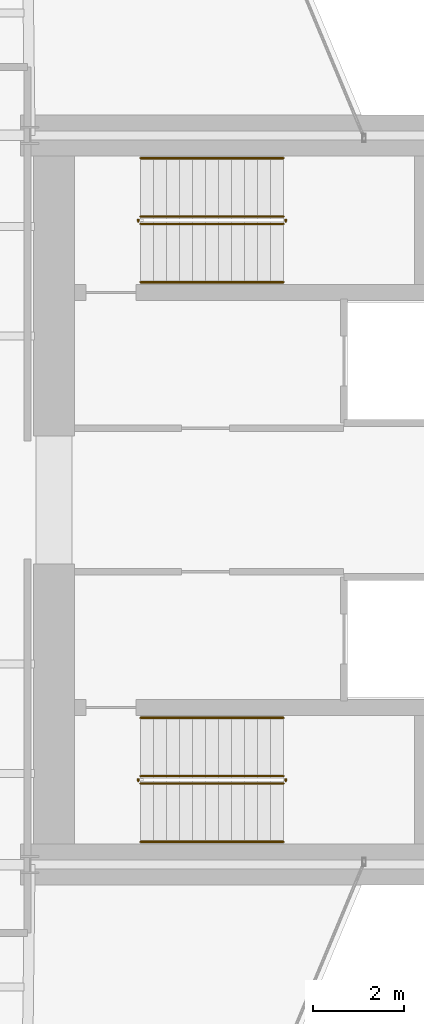
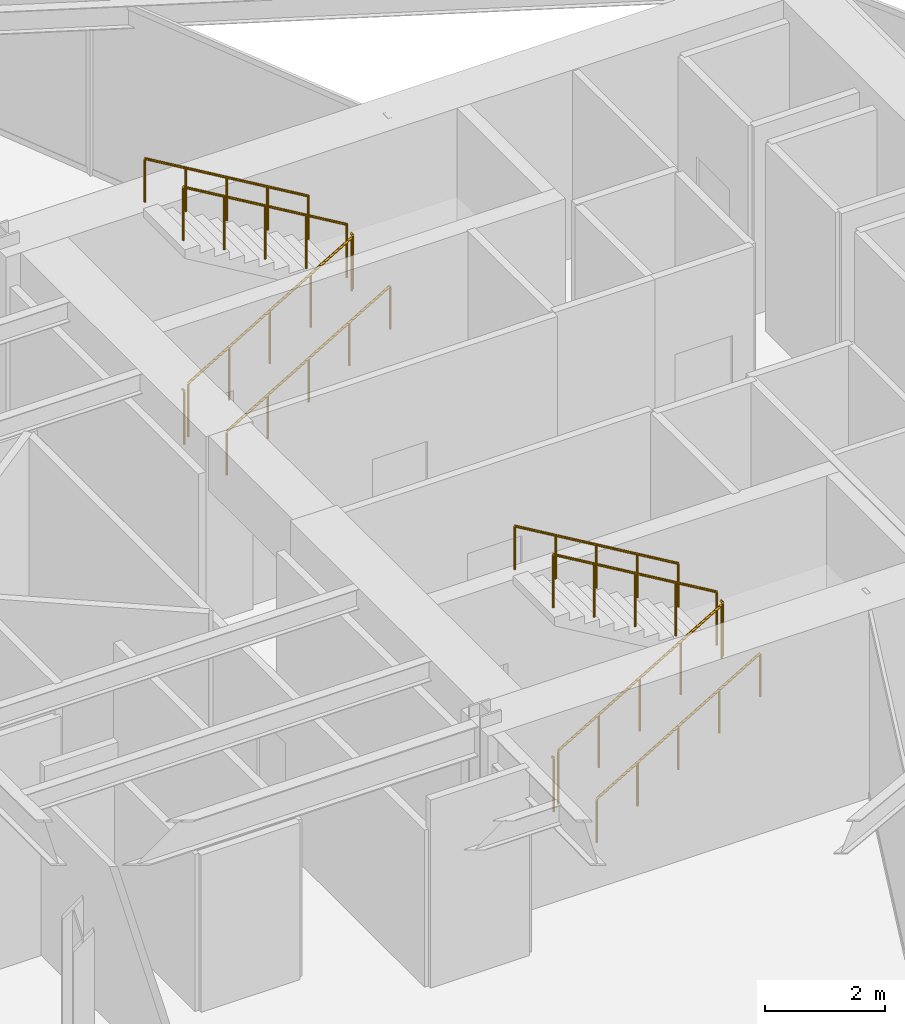
# One storey, part 24 of 24: 12 railings.
"""IFC4 building model written with IfcOpenShell, lengths in metres."""

from ifc_helpers import new_model, si_unit, direction, frame, origin, origin_2d, place, context, subcontext, project, spatial, circle, extrude, material, type_object, element, save


model = new_model("IFC4")

# Units and contexts
model_context = context("Model", 3, precision=1e-05, world=origin(), true_north=direction((0.0, 1.0)))
body_context = subcontext(model_context, "Body", "Model", "MODEL_VIEW")
ifc_project = project(units=[si_unit("LENGTHUNIT", "METRE"), si_unit("AREAUNIT", "SQUARE_METRE"), si_unit("VOLUMEUNIT", "CUBIC_METRE"), si_unit("PLANEANGLEUNIT", "RADIAN"), si_unit("MASSUNIT", "GRAM", prefix="KILO")], contexts=[model_context])

# Site, building, storey
site_placement = place(None, origin())
site = spatial("IfcSite", under=ifc_project, at=site_placement, CompositionType="ELEMENT")
building_placement = place(site_placement, origin())
building = spatial("IfcBuilding", under=site, at=building_placement, Name="Veymaron Broadcast Tower", CompositionType="ELEMENT")
storey_placement = place(building_placement, frame((0.0, 0.0, 78.300048828125)))
storey = spatial("IfcBuildingStorey", under=building, at=storey_placement, Name="L17", CompositionType="ELEMENT", Elevation=78.300048828125)

# Railings
ifc_material_1 = material(Name="Brushed stainless steel AISI 304", Category="steel")
railing_type_1 = type_object("IfcRailingType", Name="RAIL-STAIR-HR", PredefinedType="HANDRAIL", material=ifc_material_1)
railing_1_placement = place(storey_placement, frame((41.429931640625, 28.780029296875, 0.168701171875)))
element("IfcRailing", 1, at=railing_1_placement, inside=storey, type_object=railing_type_1, Name="L17 ST1 stair handrail 1", PredefinedType="HANDRAIL", context=body_context, shape_type="SweptSolid", body=[
    extrude(circle(Radius=0.02392578125, at=origin_2d()), frame((0.0, 0.0, 0.8759765625), z_axis=(0.860481960309, 0.0, 0.509480908359), x_axis=(0.0, 1.0, 0.0)), (0.0, 0.0, 1.0), 3.643310546875),
    extrude(circle(Radius=0.02099609375, at=origin_2d()), origin(), (0.0, 0.0, 1.0), 0.851806640625),
    extrude(circle(Radius=0.02099609375, at=origin_2d()), frame((0.78369140625, 0.0, 0.464111328125)), (0.0, 0.0, 1.0), 0.851806640625),
    extrude(circle(Radius=0.02099609375, at=origin_2d()), frame((1.5673828125, 0.0, 0.92822265625)), (0.0, 0.0, 1.0), 0.851806640625),
    extrude(circle(Radius=0.02099609375, at=origin_2d()), frame((2.351318359375, 0.0, 1.39208984375)), (0.0, 0.0, 1.0), 0.851806640625),
    extrude(circle(Radius=0.02099609375, at=origin_2d()), frame((3.135009765625, 0.0, 1.856201171875)), (0.0, 0.0, 1.0), 0.851806640625),
])
railing_2_placement = place(storey_placement, frame((44.56494140625, 31.5, 2.193603515625)))
element("IfcRailing", 2, at=railing_2_placement, inside=storey, type_object=railing_type_1, Name="L17 ST1 stair handrail 2", PredefinedType="HANDRAIL", context=body_context, shape_type="SweptSolid", body=[
    extrude(circle(Radius=0.02392578125, at=origin_2d()), frame((0.0, 0.0, 0.8759765625), z_axis=(-0.860452582533, 0.0, 0.509530522356), x_axis=(0.0, -1.0, 0.0)), (0.0, 0.0, 1.0), 3.6435546875),
    extrude(circle(Radius=0.02099609375, at=origin_2d()), origin(), (0.0, 0.0, 1.0), 0.851806640625),
    extrude(circle(Radius=0.02099609375, at=origin_2d()), frame((-0.78369140625, 0.0, 0.464111328125)), (0.0, 0.0, 1.0), 0.851806640625),
    extrude(circle(Radius=0.02099609375, at=origin_2d()), frame((-1.5673828125, 0.0, 0.92822265625)), (0.0, 0.0, 1.0), 0.851806640625),
    extrude(circle(Radius=0.02099609375, at=origin_2d()), frame((-2.351318359375, 0.0, 1.392333984375)), (0.0, 0.0, 1.0), 0.851806640625),
    extrude(circle(Radius=0.02099609375, at=origin_2d()), frame((-3.135009765625, 0.0, 1.8564453125)), (0.0, 0.0, 1.0), 0.851806640625),
])
railing_3_placement = place(storey_placement, frame((41.429931640625, 16.5, 0.168701171875)))
element("IfcRailing", 3, at=railing_3_placement, inside=storey, type_object=railing_type_1, Name="L17 ST2 stair handrail 1", PredefinedType="HANDRAIL", context=body_context, shape_type="SweptSolid", body=[
    extrude(circle(Radius=0.02392578125, at=origin_2d()), frame((0.0, 0.0, 0.8759765625), z_axis=(0.860481960309, 0.0, 0.509480908359), x_axis=(0.0, 1.0, 0.0)), (0.0, 0.0, 1.0), 3.643310546875),
    extrude(circle(Radius=0.02099609375, at=origin_2d()), origin(), (0.0, 0.0, 1.0), 0.851806640625),
    extrude(circle(Radius=0.02099609375, at=origin_2d()), frame((0.78369140625, 0.0, 0.464111328125)), (0.0, 0.0, 1.0), 0.851806640625),
    extrude(circle(Radius=0.02099609375, at=origin_2d()), frame((1.5673828125, 0.0, 0.92822265625)), (0.0, 0.0, 1.0), 0.851806640625),
    extrude(circle(Radius=0.02099609375, at=origin_2d()), frame((2.351318359375, 0.0, 1.39208984375)), (0.0, 0.0, 1.0), 0.851806640625),
    extrude(circle(Radius=0.02099609375, at=origin_2d()), frame((3.135009765625, 0.0, 1.856201171875)), (0.0, 0.0, 1.0), 0.851806640625),
])
railing_4_placement = place(storey_placement, frame((44.56494140625, 19.219970703125, 2.193603515625)))
element("IfcRailing", 4, at=railing_4_placement, inside=storey, type_object=railing_type_1, Name="L17 ST2 stair handrail 2", PredefinedType="HANDRAIL", context=body_context, shape_type="SweptSolid", body=[
    extrude(circle(Radius=0.02392578125, at=origin_2d()), frame((0.0, 0.0, 0.8759765625), z_axis=(-0.860452582533, 0.0, 0.509530522356), x_axis=(0.0, -1.0, 0.0)), (0.0, 0.0, 1.0), 3.6435546875),
    extrude(circle(Radius=0.02099609375, at=origin_2d()), origin(), (0.0, 0.0, 1.0), 0.851806640625),
    extrude(circle(Radius=0.02099609375, at=origin_2d()), frame((-0.78369140625, 0.0, 0.464111328125)), (0.0, 0.0, 1.0), 0.851806640625),
    extrude(circle(Radius=0.02099609375, at=origin_2d()), frame((-1.5673828125, 0.0, 0.92822265625)), (0.0, 0.0, 1.0), 0.851806640625),
    extrude(circle(Radius=0.02099609375, at=origin_2d()), frame((-2.351318359375, 0.0, 1.392333984375)), (0.0, 0.0, 1.0), 0.851806640625),
    extrude(circle(Radius=0.02099609375, at=origin_2d()), frame((-3.135009765625, 0.0, 1.8564453125)), (0.0, 0.0, 1.0), 0.851806640625),
])
ifc_material_2 = material(Name="Painted galvanized steel balustrade", Category="steel")
railing_type_2 = type_object("IfcRailingType", Name="RAIL-WELL-GRD", PredefinedType="GUARDRAIL", material=ifc_material_2)
railing_5_placement = place(storey_placement, frame((41.429931640625, 30.06005859375, 0.168701171875)))
element("IfcRailing", 5, at=railing_5_placement, inside=storey, type_object=railing_type_2, Name="L17 ST1 stair guard 1", PredefinedType="GUARDRAIL", context=body_context, shape_type="SweptSolid", body=[
    extrude(circle(Radius=0.02392578125, at=origin_2d()), frame((0.0, 0.0, 1.076171875), z_axis=(0.860481960309, 0.0, 0.509480908359), x_axis=(0.0, 1.0, 0.0)), (0.0, 0.0, 1.0), 3.643310546875),
    extrude(circle(Radius=0.02099609375, at=origin_2d()), origin(), (0.0, 0.0, 1.0), 1.052001953125),
    extrude(circle(Radius=0.02099609375, at=origin_2d()), frame((0.78369140625, 0.0, 0.464111328125)), (0.0, 0.0, 1.0), 1.052001953125),
    extrude(circle(Radius=0.02099609375, at=origin_2d()), frame((1.5673828125, 0.0, 0.92822265625)), (0.0, 0.0, 1.0), 1.052001953125),
    extrude(circle(Radius=0.02099609375, at=origin_2d()), frame((2.351318359375, 0.0, 1.39208984375)), (0.0, 0.0, 1.0), 1.052001953125),
    extrude(circle(Radius=0.02099609375, at=origin_2d()), frame((3.135009765625, 0.0, 1.856201171875)), (0.0, 0.0, 1.0), 1.052001953125),
])
railing_6_placement = place(storey_placement, frame((44.614990234375, 30.110107421875, 2.02490234375)))
element("IfcRailing", 6, at=railing_6_placement, inside=storey, type_object=railing_type_2, Name="L17 ST1 stair guard 2", PredefinedType="GUARDRAIL", context=body_context, shape_type="SweptSolid", body=[
    extrude(circle(Radius=0.02392578125, at=origin_2d()), frame((0.0, 0.0, 1.076171875), z_axis=(0.0, 1.0, 0.0), x_axis=(-1.0, 0.0, 0.0)), (0.0, 0.0, 1.0), 0.059814453125),
    extrude(circle(Radius=0.02099609375, at=origin_2d()), origin(), (0.0, 0.0, 1.0), 1.052001953125),
])
railing_7_placement = place(storey_placement, frame((44.56494140625, 30.219970703125, 2.193603515625)))
element("IfcRailing", 7, at=railing_7_placement, inside=storey, type_object=railing_type_2, Name="L17 ST1 stair guard 3", PredefinedType="GUARDRAIL", context=body_context, shape_type="SweptSolid", body=[
    extrude(circle(Radius=0.02392578125, at=origin_2d()), frame((0.0, 0.0, 1.076171875), z_axis=(-0.860452582533, 0.0, 0.509530522356), x_axis=(0.0, -1.0, 0.0)), (0.0, 0.0, 1.0), 3.6435546875),
    extrude(circle(Radius=0.02099609375, at=origin_2d()), origin(), (0.0, 0.0, 1.0), 1.052001953125),
    extrude(circle(Radius=0.02099609375, at=origin_2d()), frame((-0.78369140625, 0.0, 0.464111328125)), (0.0, 0.0, 1.0), 1.052001953125),
    extrude(circle(Radius=0.02099609375, at=origin_2d()), frame((-1.5673828125, 0.0, 0.92822265625)), (0.0, 0.0, 1.0), 1.052001953125),
    extrude(circle(Radius=0.02099609375, at=origin_2d()), frame((-2.351318359375, 0.0, 1.392333984375)), (0.0, 0.0, 1.0), 1.052001953125),
    extrude(circle(Radius=0.02099609375, at=origin_2d()), frame((-3.135009765625, 0.0, 1.8564453125)), (0.0, 0.0, 1.0), 1.052001953125),
])
railing_8_placement = place(storey_placement, frame((41.3798828125, 30.110107421875, 0.0)))
element("IfcRailing", 8, at=railing_8_placement, inside=storey, type_object=railing_type_2, Name="L17 ST1 stair guard 4", PredefinedType="GUARDRAIL", context=body_context, shape_type="SweptSolid", body=[
    extrude(circle(Radius=0.02392578125, at=origin_2d()), frame((0.0, 0.0, 1.076171875), z_axis=(0.0, 1.0, 0.0), x_axis=(-1.0, 0.0, 0.0)), (0.0, 0.0, 1.0), 0.059814453125),
    extrude(circle(Radius=0.02099609375, at=origin_2d()), origin(), (0.0, 0.0, 1.0), 1.052001953125),
])
railing_9_placement = place(storey_placement, frame((41.429931640625, 17.780029296875, 0.168701171875)))
element("IfcRailing", 9, at=railing_9_placement, inside=storey, type_object=railing_type_2, Name="L17 ST2 stair guard 1", PredefinedType="GUARDRAIL", context=body_context, shape_type="SweptSolid", body=[
    extrude(circle(Radius=0.02392578125, at=origin_2d()), frame((0.0, 0.0, 1.076171875), z_axis=(0.860481960309, 0.0, 0.509480908359), x_axis=(0.0, 1.0, 0.0)), (0.0, 0.0, 1.0), 3.643310546875),
    extrude(circle(Radius=0.02099609375, at=origin_2d()), origin(), (0.0, 0.0, 1.0), 1.052001953125),
    extrude(circle(Radius=0.02099609375, at=origin_2d()), frame((0.78369140625, 0.0, 0.464111328125)), (0.0, 0.0, 1.0), 1.052001953125),
    extrude(circle(Radius=0.02099609375, at=origin_2d()), frame((1.5673828125, 0.0, 0.92822265625)), (0.0, 0.0, 1.0), 1.052001953125),
    extrude(circle(Radius=0.02099609375, at=origin_2d()), frame((2.351318359375, 0.0, 1.39208984375)), (0.0, 0.0, 1.0), 1.052001953125),
    extrude(circle(Radius=0.02099609375, at=origin_2d()), frame((3.135009765625, 0.0, 1.856201171875)), (0.0, 0.0, 1.0), 1.052001953125),
])
railing_10_placement = place(storey_placement, frame((44.614990234375, 17.830078125, 2.02490234375)))
element("IfcRailing", 10, at=railing_10_placement, inside=storey, type_object=railing_type_2, Name="L17 ST2 stair guard 2", PredefinedType="GUARDRAIL", context=body_context, shape_type="SweptSolid", body=[
    extrude(circle(Radius=0.02392578125, at=origin_2d()), frame((0.0, 0.0, 1.076171875), z_axis=(0.0, 1.0, 0.0), x_axis=(-1.0, 0.0, 0.0)), (0.0, 0.0, 1.0), 0.059814453125),
    extrude(circle(Radius=0.02099609375, at=origin_2d()), origin(), (0.0, 0.0, 1.0), 1.052001953125),
])
railing_11_placement = place(storey_placement, frame((44.56494140625, 17.93994140625, 2.193603515625)))
element("IfcRailing", 11, at=railing_11_placement, inside=storey, type_object=railing_type_2, Name="L17 ST2 stair guard 3", PredefinedType="GUARDRAIL", context=body_context, shape_type="SweptSolid", body=[
    extrude(circle(Radius=0.02392578125, at=origin_2d()), frame((0.0, 0.0, 1.076171875), z_axis=(-0.860452582533, 0.0, 0.509530522356), x_axis=(0.0, -1.0, 0.0)), (0.0, 0.0, 1.0), 3.6435546875),
    extrude(circle(Radius=0.02099609375, at=origin_2d()), origin(), (0.0, 0.0, 1.0), 1.052001953125),
    extrude(circle(Radius=0.02099609375, at=origin_2d()), frame((-0.78369140625, 0.0, 0.464111328125)), (0.0, 0.0, 1.0), 1.052001953125),
    extrude(circle(Radius=0.02099609375, at=origin_2d()), frame((-1.5673828125, 0.0, 0.92822265625)), (0.0, 0.0, 1.0), 1.052001953125),
    extrude(circle(Radius=0.02099609375, at=origin_2d()), frame((-2.351318359375, 0.0, 1.392333984375)), (0.0, 0.0, 1.0), 1.052001953125),
    extrude(circle(Radius=0.02099609375, at=origin_2d()), frame((-3.135009765625, 0.0, 1.8564453125)), (0.0, 0.0, 1.0), 1.052001953125),
])
railing_12_placement = place(storey_placement, frame((41.3798828125, 17.830078125, 0.0)))
element("IfcRailing", 12, at=railing_12_placement, inside=storey, type_object=railing_type_2, Name="L17 ST2 stair guard 4", PredefinedType="GUARDRAIL", context=body_context, shape_type="SweptSolid", body=[
    extrude(circle(Radius=0.02392578125, at=origin_2d()), frame((0.0, 0.0, 1.076171875), z_axis=(0.0, 1.0, 0.0), x_axis=(-1.0, 0.0, 0.0)), (0.0, 0.0, 1.0), 0.059814453125),
    extrude(circle(Radius=0.02099609375, at=origin_2d()), origin(), (0.0, 0.0, 1.0), 1.052001953125),
])

save(model, "model.ifc")
